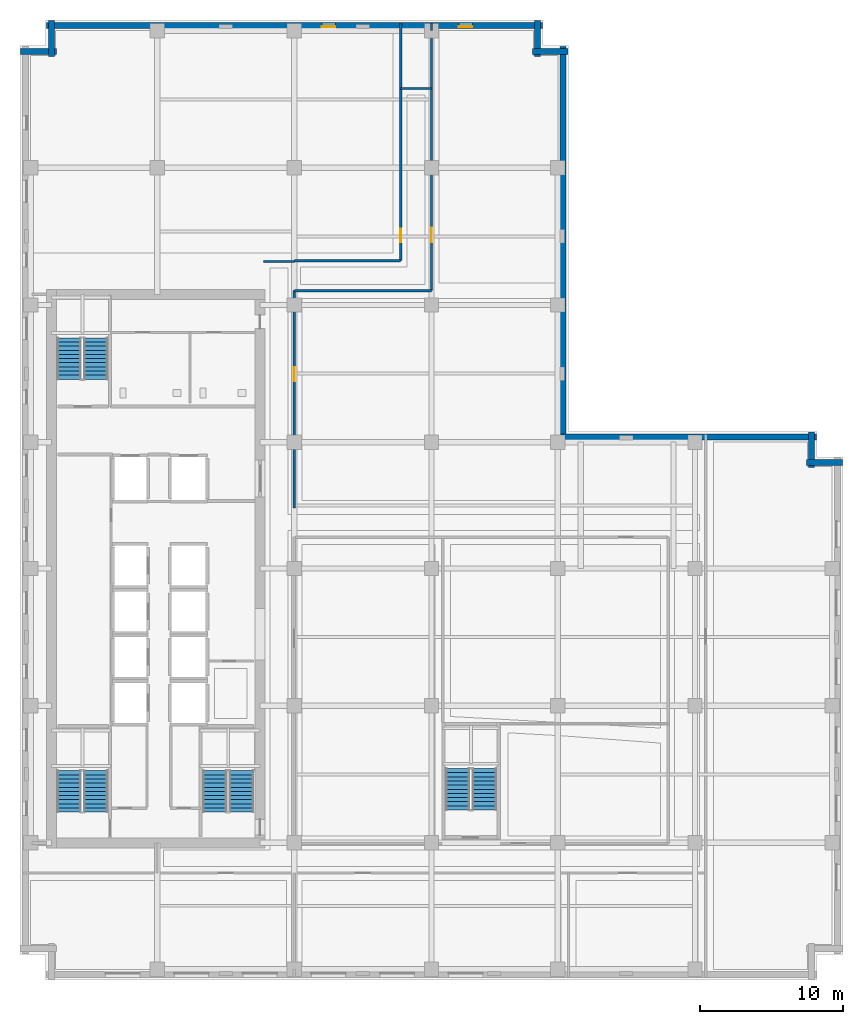
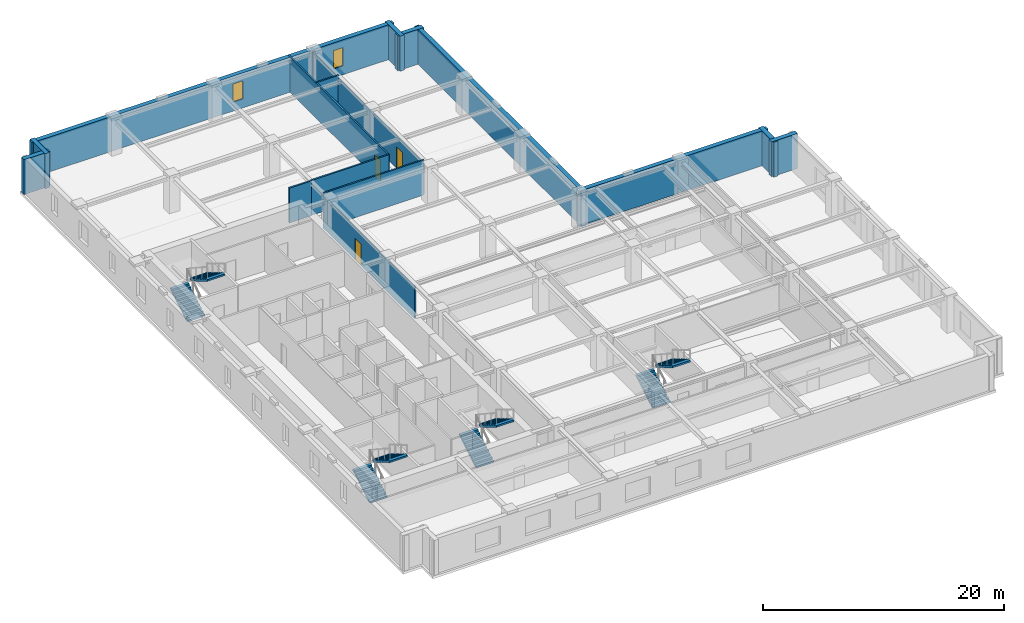
# One storey, part 7 of 12: 17 walls, 8 stair flights, 3 doors, 2 windows, 5 openings, 4 elements without a shape of their own.
"""IFC4 building model written with IfcOpenShell, lengths in metres."""

from ifc_helpers import new_model, si_unit, direction, frame, frame_2d, origin, place, context, subcontext, project, spatial, polyline, rectangle, outline, extrude, material, layer, layer_set, type_object, element, fill, aggregate, save


model = new_model("IFC4")

# Units and contexts
model_context = context("Model", 3, precision=1e-05, world=origin(), true_north=direction((0.0, 1.0)))
body_context = subcontext(model_context, "Body", "Model", "MODEL_VIEW")
ifc_project = project(units=[si_unit("LENGTHUNIT", "METRE"), si_unit("AREAUNIT", "SQUARE_METRE"), si_unit("VOLUMEUNIT", "CUBIC_METRE"), si_unit("PLANEANGLEUNIT", "RADIAN"), si_unit("MASSUNIT", "GRAM", prefix="KILO")], contexts=[model_context])

# Site, building, storey
site_placement = place(None, origin())
site = spatial("IfcSite", under=ifc_project, at=site_placement, CompositionType="ELEMENT")
building_placement = place(site_placement, origin())
building = spatial("IfcBuilding", under=site, at=building_placement, Name="Norrvale University Quadrangle", CompositionType="ELEMENT")
storey_placement = place(building_placement, frame((0.0, 0.0, 109.0)))
storey = spatial("IfcBuildingStorey", under=building, at=storey_placement, Name="L27", CompositionType="ELEMENT", Elevation=109.0)

# Walls
ifc_material_1 = material(Name="Buff Norman Clay Brick Masonry", Category="masonry")
ifc_layer_1 = layer(ifc_material_1, 0.419921875, Name="Buff Norman Clay Brick Masonry")
ifc_layer_set_1 = layer_set([ifc_layer_1], Name="Buff Norman Clay Brick Masonry")
wall_type_1 = type_object("IfcWallType", Name="Wall Buff Brick 420", PredefinedType="SOLIDWALL", material=ifc_layer_set_1)
for number, where, z_axis, x_axis, name in (
    (1, (57.56005859375, 36.2099609375, 0.0), (0.0, 0.0, 1.0), (-1.0, 0.0, 0.0), "Exterior Brick Facade Wall L27-05.1"),
    (2, (55.409912109375, 35.860107421875, 0.0), (0.0, 0.0, 1.0), (0.0, 1.0, 0.0), "Exterior Brick Facade Wall L27-06.1"),
):
    element("IfcWall", number, at=place(storey_placement, frame(where, z_axis=z_axis, x_axis=x_axis)), inside=storey, type_object=wall_type_1, Name=name, PredefinedType="SOLIDWALL", context=body_context, shape_type="SweptSolid", body=[
        extrude(rectangle(XDim=2.5, YDim=0.419921875, at=frame_2d((1.25, 0.0))), origin(), (0.0, 0.0, 1.0), 3.5400390625),
    ])
wall_1_placement = place(storey_placement, frame((55.760009765625, 38.010009765625, 0.0), z_axis=(0.0, 0.0, 1.0), x_axis=(-1.0, 0.0, 0.0)))
element("IfcWall", 3, at=wall_1_placement, inside=storey, type_object=wall_type_1, Name="Exterior Brick Facade Wall L27-07.1", PredefinedType="SOLIDWALL", context=body_context, shape_type="SweptSolid", body=[
    extrude(rectangle(XDim=18.10009765625, YDim=0.419921875, at=frame_2d((9.050048828125, 0.0))), origin(), (0.0, 0.0, 1.0), 3.5400390625),
])
wall_2_placement = place(storey_placement, frame((38.010009765625, 37.659912109375, 0.0), z_axis=(0.0, 0.0, 1.0), x_axis=(0.0, 1.0, 0.0)))
element("IfcWall", 4, at=wall_2_placement, inside=storey, type_object=wall_type_1, Name="Exterior Brick Facade Wall L27-08.1", PredefinedType="SOLIDWALL", context=body_context, shape_type="SweptSolid", body=[
    extrude(rectangle(XDim=27.7001953125, YDim=0.419921875, at=frame_2d((13.85009765625, 0.0))), origin(), (0.0, 0.0, 1.0), 3.5400390625),
])
for number, where, z_axis, x_axis, name in (
    (5, (38.360107421875, 65.010009765625, 0.0), (0.0, 0.0, 1.0), (-1.0, 0.0, 0.0), "Exterior Brick Facade Wall L27-09.1"),
    (6, (36.2099609375, 64.659912109375, 0.0), (0.0, 0.0, 1.0), (0.0, 1.0, 0.0), "Exterior Brick Facade Wall L27-10.1"),
):
    element("IfcWall", number, at=place(storey_placement, frame(where, z_axis=z_axis, x_axis=x_axis)), inside=storey, type_object=wall_type_1, Name=name, PredefinedType="SOLIDWALL", context=body_context, shape_type="SweptSolid", body=[
        extrude(rectangle(XDim=2.5, YDim=0.419921875, at=frame_2d((1.25, 0.0))), origin(), (0.0, 0.0, 1.0), 3.5400390625),
    ])

# Wall, openings, windows
wall_3_placement = place(storey_placement, frame((36.56005859375, 66.81005859375, 0.0), z_axis=(0.0, 0.0, 1.0), x_axis=(-1.0, 0.0, 0.0)))
wall_3 = element("IfcWall", 7, at=wall_3_placement, inside=storey, type_object=wall_type_1, Name="Exterior Brick Facade Wall L27-11.1", PredefinedType="SOLIDWALL", context=body_context, shape_type="SweptSolid", body=[
    extrude(rectangle(XDim=34.719970703125, YDim=0.419921875, at=frame_2d((17.35986328125, 0.0))), origin(), (0.0, 0.0, 1.0), 3.5400390625),
])
opening_1_placement = place(wall_3_placement, frame((4.885009765625, 0.0, 0.89990234375)))
opening_1 = element("IfcOpeningElement", 8, at=opening_1_placement, cuts=wall_3, Name="Opening W04", PredefinedType="OPENING", context=body_context, shape_type="SweptSolid", body=[
    extrude(rectangle(XDim=0.949951171875, YDim=1.85009765625, at=frame_2d((0.47509765625, 0.925048828125))), frame((0.0, 0.221923828125, 0.0), z_axis=(0.0, -1.0, 0.0), x_axis=(1.0, 0.0, 0.0)), (0.0, 0.0, 1.0), 0.44384765625),
])
opening_2_placement = place(wall_3_placement, frame((14.485107421875, 0.0, 0.89990234375)))
opening_2 = element("IfcOpeningElement", 9, at=opening_2_placement, cuts=wall_3, Name="Opening W04", PredefinedType="OPENING", context=body_context, shape_type="SweptSolid", body=[
    extrude(rectangle(XDim=0.949951171875, YDim=1.85009765625, at=frame_2d((0.47509765625, 0.925048828125))), frame((0.0, 0.221923828125, 0.0), z_axis=(0.0, -1.0, 0.0), x_axis=(1.0, 0.0, 0.0)), (0.0, 0.0, 1.0), 0.44384765625),
])
ifc_material_2 = material(Name="Triple Low-E Argon Glazing", Category="glass")
window_type = type_object("IfcWindowType", Name="Window Narrow Pier 950x2300", PartitioningType="SINGLE_PANEL", PredefinedType="WINDOW", material=ifc_material_2)
window_1_placement = place(opening_1_placement, origin())
window_1 = element("IfcWindow", 10, at=window_1_placement, inside=storey, type_object=window_type, Name="Window Narrow Pier 950x2300 WIN-L27-E11-1-01", OverallHeight=1.85009765625, OverallWidth=0.949951171875, PartitioningType="SINGLE_PANEL", PredefinedType="WINDOW", context=body_context, shape_type="SweptSolid", body=[
    extrude(rectangle(XDim=0.949951171875, YDim=1.85009765625, at=frame_2d((0.47509765625, 0.925048828125))), frame((0.0, 0.110107421875, 0.0), z_axis=(0.0, -1.0, 0.0), x_axis=(1.0, 0.0, 0.0)), (0.0, 0.0, 1.0), 0.06005859375),
])
fill(opening_1, window_1)
window_2_placement = place(opening_2_placement, origin())
window_2 = element("IfcWindow", 11, at=window_2_placement, inside=storey, type_object=window_type, Name="Window Narrow Pier 950x2300 WIN-L27-E11-1-02", OverallHeight=1.85009765625, OverallWidth=0.949951171875, PartitioningType="SINGLE_PANEL", PredefinedType="WINDOW", context=body_context, shape_type="SweptSolid", body=[
    extrude(rectangle(XDim=0.949951171875, YDim=1.85009765625, at=frame_2d((0.47509765625, 0.925048828125))), frame((0.0, 0.110107421875, 0.0), z_axis=(0.0, -1.0, 0.0), x_axis=(1.0, 0.0, 0.0)), (0.0, 0.0, 1.0), 0.06005859375),
])
fill(opening_2, window_2)

# Walls
for number, where, z_axis, x_axis, name in (
    (12, (2.18994140625, 67.159912109375, 0.0), (0.0, 0.0, 1.0), (0.0, -1.0, 0.0), "Exterior Brick Facade Wall L27-12.1"),
    (13, (2.5400390625, 65.010009765625, 0.0), (0.0, 0.0, 1.0), (-1.0, 0.0, 0.0), "Exterior Brick Facade Wall L27-13.1"),
):
    element("IfcWall", number, at=place(storey_placement, frame(where, z_axis=z_axis, x_axis=x_axis)), inside=storey, type_object=wall_type_1, Name=name, PredefinedType="SOLIDWALL", context=body_context, shape_type="SweptSolid", body=[
        extrude(rectangle(XDim=2.5, YDim=0.419921875, at=frame_2d((1.25, 0.0))), origin(), (0.0, 0.0, 1.0), 3.5400390625),
    ])
ifc_material_3 = material(Name="Fire-Rated Gypsum Stud Partition")
ifc_layer_2 = layer(ifc_material_3, 0.14990234375, Name="Fire-Rated Gypsum Stud Partition")
ifc_layer_set_2 = layer_set([ifc_layer_2], Name="Fire-Rated Gypsum Stud Partition")
wall_type_2 = type_object("IfcWallType", Name="Wall Gypsum Corridor 150", PredefinedType="PARTITIONING", material=ifc_layer_set_2)
wall_4_placement = place(storey_placement, frame((17.050048828125, 50.300048828125, 0.0), z_axis=(0.0, 0.0, 1.0), x_axis=(1.0, 0.0, 0.0)))
element("IfcWall", 14, at=wall_4_placement, inside=storey, type_object=wall_type_2, Name="Interior Partition WL-L27-CN-END", PredefinedType="PARTITIONING", context=body_context, shape_type="SweptSolid", body=[
    extrude(rectangle(XDim=2.14990234375, YDim=0.14990234375, at=frame_2d((1.074951171875, 0.0))), origin(), (0.0, 0.0, 1.0), 3.5400390625),
])

# Wall, opening, door
wall_5_placement = place(storey_placement, frame((19.199951171875, 33.050048828125, 0.0), z_axis=(0.0, 0.0, 1.0), x_axis=(0.0, 1.0, 0.0)))
wall_5 = element("IfcWall", 15, at=wall_5_placement, inside=storey, type_object=wall_type_2, Name="Interior Partition WL-L27-MNECW", PredefinedType="PARTITIONING", context=body_context, shape_type="SweptSolid", body=[
    extrude(rectangle(XDim=15.199951171875, YDim=0.14990234375, at=frame_2d((7.60009765625, 0.0))), origin(), (0.0, 0.0, 1.0), 3.18408203125),
])
opening_3_placement = place(wall_5_placement, frame((8.85009765625, 0.0, 0.0)))
opening_3 = element("IfcOpeningElement", 16, at=opening_3_placement, cuts=wall_5, Name="Opening D04", PredefinedType="OPENING", context=body_context, shape_type="SweptSolid", body=[
    extrude(rectangle(XDim=1.0, YDim=2.199951171875, at=frame_2d((0.5, 1.10009765625))), frame((0.0, 0.0869140625, 0.0), z_axis=(0.0, -1.0, 0.0), x_axis=(1.0, 0.0, 0.0)), (0.0, 0.0, 1.0), 0.173828125),
])
ifc_material_4 = material(Name="Solid-Core Oak Fire Door", Category="wood")
door_type_1 = type_object("IfcDoorType", Name="Door Corridor 1000x2200", OperationType="NOTDEFINED", PredefinedType="DOOR", material=ifc_material_4)
door_1_placement = place(opening_3_placement, origin())
door_1 = element("IfcDoor", 17, at=door_1_placement, inside=storey, type_object=door_type_1, Name="Door Corridor 1000x2200 DR-L27-MNE01", OperationType="SINGLE_SWING_RIGHT", OverallHeight=2.199951171875, OverallWidth=1.0, PredefinedType="DOOR", context=body_context, shape_type="SweptSolid", body=[
    extrude(rectangle(XDim=1.0, YDim=2.199951171875, at=frame_2d((0.5, 1.10009765625))), frame((0.0, 0.02490234375, 0.0), z_axis=(0.0, -1.0, 0.0), x_axis=(1.0, 0.0, 0.0)), (0.0, 0.0, 1.0), 0.050048828125),
])
fill(opening_3, door_1)

# Walls
wall_6_placement = place(storey_placement, frame((19.199951171875, 48.25, 0.0), z_axis=(0.0, 0.0, 1.0), x_axis=(1.0, 0.0, 0.0)))
element("IfcWall", 18, at=wall_6_placement, inside=storey, type_object=wall_type_2, Name="Interior Partition WL-L27-JOGS", PredefinedType="PARTITIONING", context=body_context, shape_type="SweptSolid", body=[
    extrude(rectangle(XDim=9.60009765625, YDim=0.14990234375, at=frame_2d((4.800048828125, 0.0))), origin(), (0.0, 0.0, 1.0), 3.5400390625),
])
wall_7_placement = place(storey_placement, frame((19.199951171875, 50.35009765625, 0.0), z_axis=(0.0, 0.0, 1.0), x_axis=(1.0, 0.0, 0.0)))
element("IfcWall", 19, at=wall_7_placement, inside=storey, type_object=wall_type_2, Name="Interior Partition WL-L27-JOGN", PredefinedType="PARTITIONING", context=body_context, shape_type="SweptSolid", body=[
    extrude(rectangle(XDim=7.449951171875, YDim=0.14990234375, at=frame_2d((3.72509765625, 0.0))), origin(), (0.0, 0.0, 1.0), 3.5400390625),
])
wall_8_placement = place(storey_placement, frame((26.64990234375, 62.39990234375, 0.0), z_axis=(0.0, 0.0, 1.0), x_axis=(1.0, 0.0, 0.0)))
element("IfcWall", 20, at=wall_8_placement, inside=storey, type_object=wall_type_2, Name="Interior Partition WL-L27-JOGEND", PredefinedType="PARTITIONING", context=body_context, shape_type="SweptSolid", body=[
    extrude(rectangle(XDim=2.150146484375, YDim=0.14990234375, at=frame_2d((1.0751953125, 0.0))), origin(), (0.0, 0.0, 1.0), 3.5400390625),
])

# Wall, opening, door
wall_9_placement = place(storey_placement, frame((28.800048828125, 48.25, 0.0), z_axis=(0.0, 0.0, 1.0), x_axis=(0.0, 1.0, 0.0)))
wall_9 = element("IfcWall", 21, at=wall_9_placement, inside=storey, type_object=wall_type_2, Name="Interior Partition WL-L27-NECW", PredefinedType="PARTITIONING", context=body_context, shape_type="SweptSolid", body=[
    extrude(rectangle(XDim=18.199951171875, YDim=0.14990234375, at=frame_2d((9.10009765625, 0.0))), origin(), (0.0, 0.0, 1.0), 3.18408203125),
])
opening_4_placement = place(wall_9_placement, frame((3.39990234375, 0.0, 0.0)))
opening_4 = element("IfcOpeningElement", 22, at=opening_4_placement, cuts=wall_9, Name="Opening D04", PredefinedType="OPENING", context=body_context, shape_type="SweptSolid", body=[
    extrude(rectangle(XDim=1.0, YDim=2.199951171875, at=frame_2d((0.5, 1.10009765625))), frame((0.0, 0.0869140625, 0.0), z_axis=(0.0, -1.0, 0.0), x_axis=(1.0, 0.0, 0.0)), (0.0, 0.0, 1.0), 0.173828125),
])
door_2_placement = place(opening_4_placement, origin())
door_2 = element("IfcDoor", 23, at=door_2_placement, inside=storey, type_object=door_type_1, Name="Door Corridor 1000x2200 DR-L27-NE01", OperationType="SINGLE_SWING_RIGHT", OverallHeight=2.199951171875, OverallWidth=1.0, PredefinedType="DOOR", context=body_context, shape_type="SweptSolid", body=[
    extrude(rectangle(XDim=1.0, YDim=2.199951171875, at=frame_2d((0.5, 1.10009765625))), frame((0.0, 0.02490234375, 0.0), z_axis=(0.0, -1.0, 0.0), x_axis=(1.0, 0.0, 0.0)), (0.0, 0.0, 1.0), 0.050048828125),
])
fill(opening_4, door_2)

# Wall
wall_10_placement = place(storey_placement, frame((28.800048828125, 66.449951171875, 0.0), z_axis=(0.0, 0.0, 1.0), x_axis=(0.0, 1.0, 0.0)))
element("IfcWall", 24, at=wall_10_placement, inside=storey, type_object=wall_type_2, Name="Interior Partition WL-L27-NECW-B2", PredefinedType="PARTITIONING", context=body_context, shape_type="SweptSolid", body=[
    extrude(rectangle(XDim=0.530029296875, YDim=0.14990234375, at=frame_2d((0.26513671875, 0.0))), origin(), (0.0, 0.0, 1.0), 3.5400390625),
])

# Wall, opening, door
wall_11_placement = place(storey_placement, frame((26.64990234375, 50.35009765625, 0.0), z_axis=(0.0, 0.0, 1.0), x_axis=(0.0, 1.0, 0.0)))
wall_11 = element("IfcWall", 25, at=wall_11_placement, inside=storey, type_object=wall_type_2, Name="Interior Partition WL-L27-NWCW", PredefinedType="PARTITIONING", context=body_context, shape_type="SweptSolid", body=[
    extrude(rectangle(XDim=16.6298828125, YDim=0.14990234375, at=frame_2d((8.31494140625, 0.0))), origin(), (0.0, 0.0, 1.0), 3.5400390625),
])
opening_5_placement = place(wall_11_placement, frame((1.300048828125, 0.0, 0.0)))
opening_5 = element("IfcOpeningElement", 26, at=opening_5_placement, cuts=wall_11, Name="Opening D07", PredefinedType="OPENING", context=body_context, shape_type="SweptSolid", body=[
    extrude(rectangle(XDim=0.949951171875, YDim=2.14990234375, at=frame_2d((0.47509765625, 1.074951171875))), frame((0.0, 0.0869140625, 0.0), z_axis=(0.0, -1.0, 0.0), x_axis=(1.0, 0.0, 0.0)), (0.0, 0.0, 1.0), 0.173828125),
])
ifc_material_5 = material(Name="Solid-Core Maple Door", Category="wood")
door_type_2 = type_object("IfcDoorType", Name="Door Office 950x2150", OperationType="NOTDEFINED", PredefinedType="DOOR", material=ifc_material_5)
door_3_placement = place(opening_5_placement, origin())
door_3 = element("IfcDoor", 27, at=door_3_placement, inside=storey, type_object=door_type_2, Name="Door Office 950x2150 DR-L27-NW01", OperationType="SINGLE_SWING_RIGHT", OverallHeight=2.14990234375, OverallWidth=0.949951171875, PredefinedType="DOOR", context=body_context, shape_type="SweptSolid", body=[
    extrude(rectangle(XDim=0.949951171875, YDim=2.14990234375, at=frame_2d((0.47509765625, 1.074951171875))), frame((0.0, 0.02490234375, 0.0), z_axis=(0.0, -1.0, 0.0), x_axis=(1.0, 0.0, 0.0)), (0.0, 0.0, 1.0), 0.050048828125),
])
fill(opening_5, door_3)

# Stair, stair flights
ifc_material_6 = material(Name="Concrete C40/50", Category="concrete")
stair_type = type_object("IfcStairType", Name="Stair Tower Typ 3800", PredefinedType="TWO_STRAIGHT_RUN_STAIR", material=ifc_material_6)
stair_1_placement = place(storey_placement, origin())
stair_1 = element("IfcStair", 28, at=stair_1_placement, inside=storey, type_object=stair_type, Name="Exit Stair ST-01 L27", PredefinedType="TWO_STRAIGHT_RUN_STAIR")
stair_flight_type = type_object("IfcStairFlightType", Name="Flight Typ 1500", PredefinedType="STRAIGHT", material=ifc_material_6)
stair_flight_1_placement = place(storey_placement, frame((3.429931640625, 11.75, 0.0), z_axis=(0.0, 0.0, 1.0), x_axis=(0.0, 1.0, 0.0)))
stair_flight_1 = element("IfcStairFlight", 29, at=stair_flight_1_placement, type_object=stair_flight_type, Name="Exit Stair ST-01 L27 Lower Flight", NumberOfRisers=11, NumberOfTreads=10, PredefinedType="STRAIGHT", RiserHeight=0.172727, TreadLength=0.29, context=body_context, shape_type="SweptSolid", body=[
    extrude(outline(polyline([(0.0, 0.0), (0.0, 0.172607421875), (0.2900390625, 0.172607421875), (0.2900390625, 0.345458984375), (0.580078125, 0.345458984375), (0.580078125, 0.51806640625), (0.8701171875, 0.51806640625), (0.8701171875, 0.69091796875), (1.159912109375, 0.69091796875), (1.159912109375, 0.863525390625), (1.449951171875, 0.863525390625), (1.449951171875, 1.036376953125), (1.739990234375, 1.036376953125), (1.739990234375, 1.208984375), (2.030029296875, 1.208984375), (2.030029296875, 1.3818359375), (2.320068359375, 1.3818359375), (2.320068359375, 1.554443359375), (2.610107421875, 1.554443359375), (2.610107421875, 1.727294921875), (2.89990234375, 1.727294921875), (2.89990234375, 1.89990234375), (2.89990234375, 1.552734375), (0.29296875, 0.0), (0.0, 0.0)])), frame((0.0, 0.83984375, 0.0), z_axis=(0.0, -1.0, 0.0), x_axis=(1.0, 0.0, 0.0)), (0.0, 0.0, 1.0), 1.679931640625),
])
stair_flight_2_placement = place(storey_placement, frame((5.320068359375, 14.64990234375, 1.89990234375), z_axis=(0.0, 0.0, 1.0), x_axis=(0.0, -1.0, 0.0)))
stair_flight_2 = element("IfcStairFlight", 30, at=stair_flight_2_placement, type_object=stair_flight_type, Name="Exit Stair ST-01 L27 Upper Flight", NumberOfRisers=11, NumberOfTreads=10, PredefinedType="STRAIGHT", RiserHeight=0.172727, TreadLength=0.29, context=body_context, shape_type="SweptSolid", body=[
    extrude(outline(polyline([(0.0, 0.0), (0.0, 0.172607421875), (0.2900390625, 0.172607421875), (0.2900390625, 0.345458984375), (0.580078125, 0.345458984375), (0.580078125, 0.51806640625), (0.8701171875, 0.51806640625), (0.8701171875, 0.69091796875), (1.159912109375, 0.69091796875), (1.159912109375, 0.863525390625), (1.449951171875, 0.863525390625), (1.449951171875, 1.036376953125), (1.739990234375, 1.036376953125), (1.739990234375, 1.208984375), (2.030029296875, 1.208984375), (2.030029296875, 1.3818359375), (2.320068359375, 1.3818359375), (2.320068359375, 1.554443359375), (2.610107421875, 1.554443359375), (2.610107421875, 1.727294921875), (2.89990234375, 1.727294921875), (2.89990234375, 1.89990234375), (2.89990234375, 1.552734375), (0.29296875, 0.0), (0.0, 0.0)])), frame((0.0, 0.83984375, 0.0), z_axis=(0.0, -1.0, 0.0), x_axis=(1.0, 0.0, 0.0)), (0.0, 0.0, 1.0), 1.679931640625),
])
aggregate(stair_1, [stair_flight_1, stair_flight_2])

stair_2_placement = place(storey_placement, origin())
stair_2 = element("IfcStair", 31, at=stair_2_placement, inside=storey, type_object=stair_type, Name="Exit Stair ST-02 L27", PredefinedType="TWO_STRAIGHT_RUN_STAIR")
stair_flight_3_placement = place(storey_placement, frame((3.429931640625, 42.050048828125, 0.0), z_axis=(0.0, 0.0, 1.0), x_axis=(0.0, 1.0, 0.0)))
stair_flight_3 = element("IfcStairFlight", 32, at=stair_flight_3_placement, type_object=stair_flight_type, Name="Exit Stair ST-02 L27 Lower Flight", NumberOfRisers=11, NumberOfTreads=10, PredefinedType="STRAIGHT", RiserHeight=0.172727, TreadLength=0.29, context=body_context, shape_type="SweptSolid", body=[
    extrude(outline(polyline([(0.0, 0.0), (0.0, 0.172607421875), (0.2900390625, 0.172607421875), (0.2900390625, 0.345458984375), (0.580078125, 0.345458984375), (0.580078125, 0.51806640625), (0.8701171875, 0.51806640625), (0.8701171875, 0.69091796875), (1.159912109375, 0.69091796875), (1.159912109375, 0.863525390625), (1.449951171875, 0.863525390625), (1.449951171875, 1.036376953125), (1.739990234375, 1.036376953125), (1.739990234375, 1.208984375), (2.030029296875, 1.208984375), (2.030029296875, 1.3818359375), (2.320068359375, 1.3818359375), (2.320068359375, 1.554443359375), (2.610107421875, 1.554443359375), (2.610107421875, 1.727294921875), (2.89990234375, 1.727294921875), (2.89990234375, 1.89990234375), (2.89990234375, 1.552734375), (0.29296875, 0.0), (0.0, 0.0)])), frame((0.0, 0.83984375, 0.0), z_axis=(0.0, -1.0, 0.0), x_axis=(1.0, 0.0, 0.0)), (0.0, 0.0, 1.0), 1.679931640625),
])
stair_flight_4_placement = place(storey_placement, frame((5.320068359375, 44.949951171875, 1.89990234375), z_axis=(0.0, 0.0, 1.0), x_axis=(0.0, -1.0, 0.0)))
stair_flight_4 = element("IfcStairFlight", 33, at=stair_flight_4_placement, type_object=stair_flight_type, Name="Exit Stair ST-02 L27 Upper Flight", NumberOfRisers=11, NumberOfTreads=10, PredefinedType="STRAIGHT", RiserHeight=0.172727, TreadLength=0.29, context=body_context, shape_type="SweptSolid", body=[
    extrude(outline(polyline([(0.0, 0.0), (0.0, 0.172607421875), (0.2900390625, 0.172607421875), (0.2900390625, 0.345458984375), (0.580078125, 0.345458984375), (0.580078125, 0.51806640625), (0.8701171875, 0.51806640625), (0.8701171875, 0.69091796875), (1.159912109375, 0.69091796875), (1.159912109375, 0.863525390625), (1.449951171875, 0.863525390625), (1.449951171875, 1.036376953125), (1.739990234375, 1.036376953125), (1.739990234375, 1.208984375), (2.030029296875, 1.208984375), (2.030029296875, 1.3818359375), (2.320068359375, 1.3818359375), (2.320068359375, 1.554443359375), (2.610107421875, 1.554443359375), (2.610107421875, 1.727294921875), (2.89990234375, 1.727294921875), (2.89990234375, 1.89990234375), (2.89990234375, 1.552734375), (0.29296875, 0.0), (0.0, 0.0)])), frame((0.0, 0.83984375, 0.0), z_axis=(0.0, -1.0, 0.0), x_axis=(1.0, 0.0, 0.0)), (0.0, 0.0, 1.0), 1.679931640625),
])
aggregate(stair_2, [stair_flight_3, stair_flight_4])

stair_3_placement = place(storey_placement, origin())
stair_3 = element("IfcStair", 34, at=stair_3_placement, inside=storey, type_object=stair_type, Name="Exit Stair ST-03 L27", PredefinedType="TWO_STRAIGHT_RUN_STAIR")
stair_flight_5_placement = place(storey_placement, frame((13.6298828125, 11.75, 0.0), z_axis=(0.0, 0.0, 1.0), x_axis=(0.0, 1.0, 0.0)))
stair_flight_5 = element("IfcStairFlight", 35, at=stair_flight_5_placement, type_object=stair_flight_type, Name="Exit Stair ST-03 L27 Lower Flight", NumberOfRisers=11, NumberOfTreads=10, PredefinedType="STRAIGHT", RiserHeight=0.172727, TreadLength=0.29, context=body_context, shape_type="SweptSolid", body=[
    extrude(outline(polyline([(0.0, 0.0), (0.0, 0.172607421875), (0.2900390625, 0.172607421875), (0.2900390625, 0.345458984375), (0.580078125, 0.345458984375), (0.580078125, 0.51806640625), (0.8701171875, 0.51806640625), (0.8701171875, 0.69091796875), (1.159912109375, 0.69091796875), (1.159912109375, 0.863525390625), (1.449951171875, 0.863525390625), (1.449951171875, 1.036376953125), (1.739990234375, 1.036376953125), (1.739990234375, 1.208984375), (2.030029296875, 1.208984375), (2.030029296875, 1.3818359375), (2.320068359375, 1.3818359375), (2.320068359375, 1.554443359375), (2.610107421875, 1.554443359375), (2.610107421875, 1.727294921875), (2.89990234375, 1.727294921875), (2.89990234375, 1.89990234375), (2.89990234375, 1.552734375), (0.29296875, 0.0), (0.0, 0.0)])), frame((0.0, 0.83984375, 0.0), z_axis=(0.0, -1.0, 0.0), x_axis=(1.0, 0.0, 0.0)), (0.0, 0.0, 1.0), 1.679931640625),
])
stair_flight_6_placement = place(storey_placement, frame((15.52001953125, 14.64990234375, 1.89990234375), z_axis=(0.0, 0.0, 1.0), x_axis=(0.0, -1.0, 0.0)))
stair_flight_6 = element("IfcStairFlight", 36, at=stair_flight_6_placement, type_object=stair_flight_type, Name="Exit Stair ST-03 L27 Upper Flight", NumberOfRisers=11, NumberOfTreads=10, PredefinedType="STRAIGHT", RiserHeight=0.172727, TreadLength=0.29, context=body_context, shape_type="SweptSolid", body=[
    extrude(outline(polyline([(0.0, 0.0), (0.0, 0.172607421875), (0.2900390625, 0.172607421875), (0.2900390625, 0.345458984375), (0.580078125, 0.345458984375), (0.580078125, 0.51806640625), (0.8701171875, 0.51806640625), (0.8701171875, 0.69091796875), (1.159912109375, 0.69091796875), (1.159912109375, 0.863525390625), (1.449951171875, 0.863525390625), (1.449951171875, 1.036376953125), (1.739990234375, 1.036376953125), (1.739990234375, 1.208984375), (2.030029296875, 1.208984375), (2.030029296875, 1.3818359375), (2.320068359375, 1.3818359375), (2.320068359375, 1.554443359375), (2.610107421875, 1.554443359375), (2.610107421875, 1.727294921875), (2.89990234375, 1.727294921875), (2.89990234375, 1.89990234375), (2.89990234375, 1.552734375), (0.29296875, 0.0), (0.0, 0.0)])), frame((0.0, 0.83984375, 0.0), z_axis=(0.0, -1.0, 0.0), x_axis=(1.0, 0.0, 0.0)), (0.0, 0.0, 1.0), 1.679931640625),
])
aggregate(stair_3, [stair_flight_5, stair_flight_6])

stair_4_placement = place(storey_placement, origin())
stair_4 = element("IfcStair", 37, at=stair_4_placement, inside=storey, type_object=stair_type, Name="Exit Stair ST-04 L27", PredefinedType="TWO_STRAIGHT_RUN_STAIR")
stair_flight_7_placement = place(storey_placement, frame((30.6298828125, 11.89990234375, 0.0), z_axis=(0.0, 0.0, 1.0), x_axis=(0.0, 1.0, 0.0)))
stair_flight_7 = element("IfcStairFlight", 38, at=stair_flight_7_placement, type_object=stair_flight_type, Name="Exit Stair ST-04 L27 Lower Flight", NumberOfRisers=11, NumberOfTreads=10, PredefinedType="STRAIGHT", RiserHeight=0.172727, TreadLength=0.29, context=body_context, shape_type="SweptSolid", body=[
    extrude(outline(polyline([(0.0, 0.0), (0.0, 0.172607421875), (0.2900390625, 0.172607421875), (0.2900390625, 0.345458984375), (0.580078125, 0.345458984375), (0.580078125, 0.51806640625), (0.8701171875, 0.51806640625), (0.8701171875, 0.69091796875), (1.159912109375, 0.69091796875), (1.159912109375, 0.863525390625), (1.449951171875, 0.863525390625), (1.449951171875, 1.036376953125), (1.739990234375, 1.036376953125), (1.739990234375, 1.208984375), (2.030029296875, 1.208984375), (2.030029296875, 1.3818359375), (2.320068359375, 1.3818359375), (2.320068359375, 1.554443359375), (2.610107421875, 1.554443359375), (2.610107421875, 1.727294921875), (2.89990234375, 1.727294921875), (2.89990234375, 1.89990234375), (2.89990234375, 1.552734375), (0.29296875, 0.0), (0.0, 0.0)])), frame((0.0, 0.83984375, 0.0), z_axis=(0.0, -1.0, 0.0), x_axis=(1.0, 0.0, 0.0)), (0.0, 0.0, 1.0), 1.679931640625),
])
stair_flight_8_placement = place(storey_placement, frame((32.52001953125, 14.800048828125, 1.89990234375), z_axis=(0.0, 0.0, 1.0), x_axis=(0.0, -1.0, 0.0)))
stair_flight_8 = element("IfcStairFlight", 39, at=stair_flight_8_placement, type_object=stair_flight_type, Name="Exit Stair ST-04 L27 Upper Flight", NumberOfRisers=11, NumberOfTreads=10, PredefinedType="STRAIGHT", RiserHeight=0.172727, TreadLength=0.29, context=body_context, shape_type="SweptSolid", body=[
    extrude(outline(polyline([(0.0, 0.0), (0.0, 0.172607421875), (0.2900390625, 0.172607421875), (0.2900390625, 0.345458984375), (0.580078125, 0.345458984375), (0.580078125, 0.51806640625), (0.8701171875, 0.51806640625), (0.8701171875, 0.69091796875), (1.159912109375, 0.69091796875), (1.159912109375, 0.863525390625), (1.449951171875, 0.863525390625), (1.449951171875, 1.036376953125), (1.739990234375, 1.036376953125), (1.739990234375, 1.208984375), (2.030029296875, 1.208984375), (2.030029296875, 1.3818359375), (2.320068359375, 1.3818359375), (2.320068359375, 1.554443359375), (2.610107421875, 1.554443359375), (2.610107421875, 1.727294921875), (2.89990234375, 1.727294921875), (2.89990234375, 1.89990234375), (2.89990234375, 1.552734375), (0.29296875, 0.0), (0.0, 0.0)])), frame((0.0, 0.83984375, 0.0), z_axis=(0.0, -1.0, 0.0), x_axis=(1.0, 0.0, 0.0)), (0.0, 0.0, 1.0), 1.679931640625),
])
aggregate(stair_4, [stair_flight_7, stair_flight_8])

save(model, "model.ifc")
